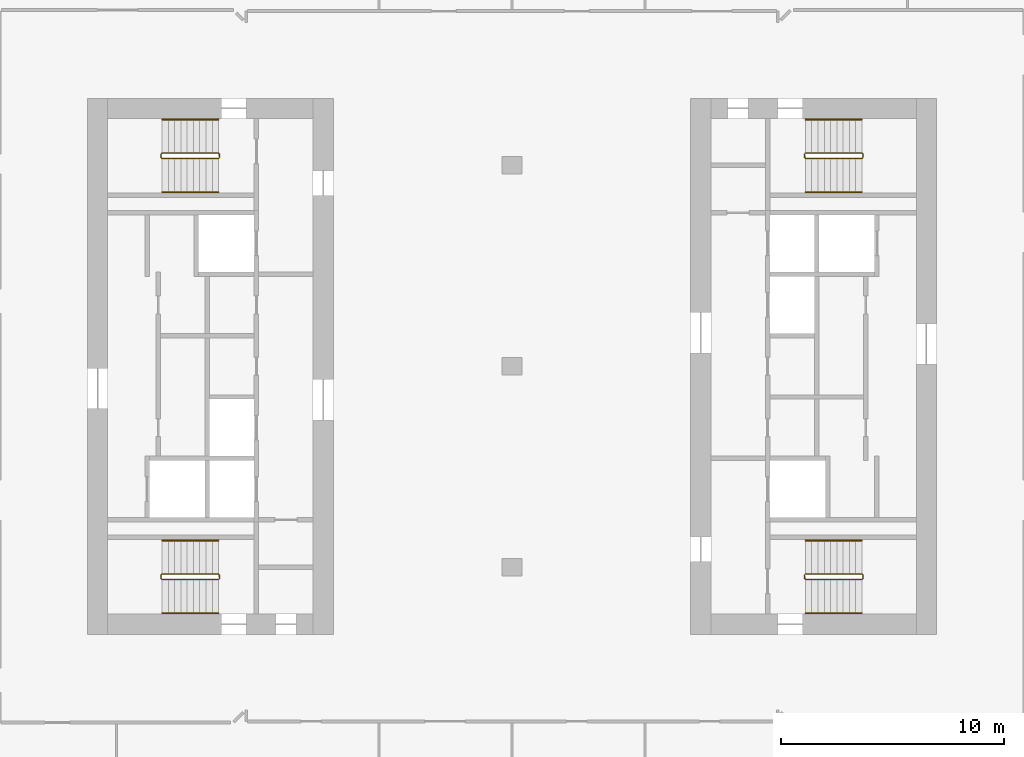
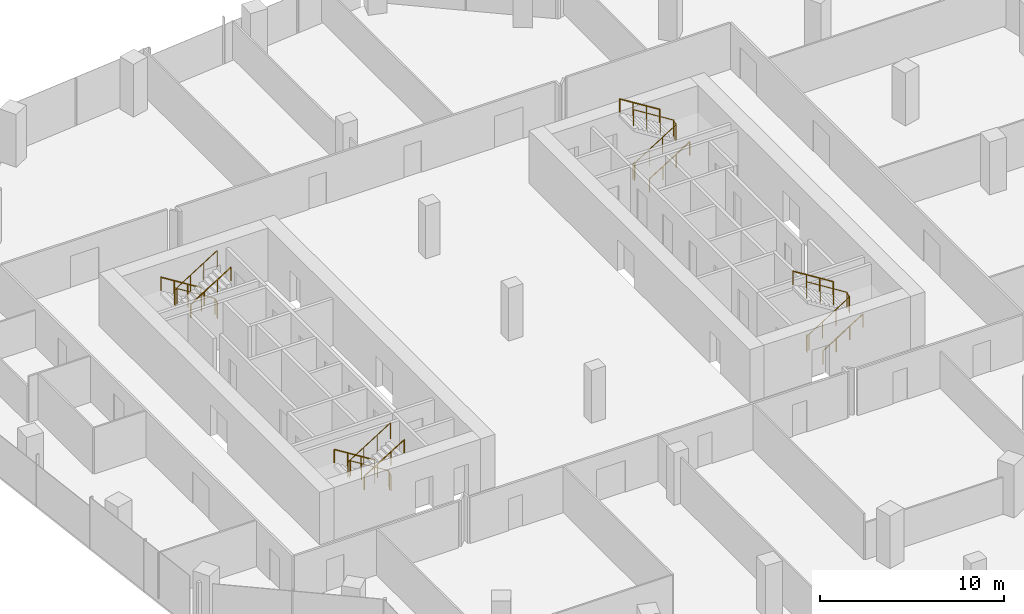
# One storey, part 22 of 23: 12 railings.
"""IFC4 building model written with IfcOpenShell, lengths in metres."""

from ifc_helpers import new_model, si_unit, direction, frame, origin, origin_2d, place, context, subcontext, project, spatial, circle, extrude, material, type_object, element, save


model = new_model("IFC4")

# Units and contexts
model_context = context("Model", 3, precision=1e-05, world=origin(), true_north=direction((0.0, 1.0)))
body_context = subcontext(model_context, "Body", "Model", "MODEL_VIEW")
ifc_project = project(units=[si_unit("LENGTHUNIT", "METRE"), si_unit("AREAUNIT", "SQUARE_METRE"), si_unit("VOLUMEUNIT", "CUBIC_METRE"), si_unit("PLANEANGLEUNIT", "RADIAN"), si_unit("MASSUNIT", "GRAM", prefix="KILO")], contexts=[model_context])

# Site, building, storey
site_placement = place(None, origin())
site = spatial("IfcSite", under=ifc_project, at=site_placement, CompositionType="ELEMENT")
building_placement = place(site_placement, origin())
building = spatial("IfcBuilding", under=site, at=building_placement, Name="Orlundy Tower", CompositionType="ELEMENT")
storey_placement = place(building_placement, frame((0.0, 0.0, 224.5)))
storey = spatial("IfcBuildingStorey", under=building, at=storey_placement, Name="L59", CompositionType="ELEMENT", Elevation=224.5)

# Railings
ifc_material_1 = material(Name="Steel balustrade", Category="steel")
railing_type_1 = type_object("IfcRailingType", Name="Stair Guard 1100", PredefinedType="GUARDRAIL", material=ifc_material_1)
railing_1_placement = place(storey_placement, frame((-13.090087890625, 9.5, 0.0)))
element("IfcRailing", 1, at=railing_1_placement, inside=storey, type_object=railing_type_1, Name="L59 ST-W1 stair guard 1", PredefinedType="GUARDRAIL", context=body_context, shape_type="SweptSolid", body=[
    extrude(circle(Radius=0.02392578125, at=origin_2d()), frame((0.0, 0.0, 1.076171875), z_axis=(0.0, -1.0, 0.0), x_axis=(1.0, 0.0, 0.0)), (0.0, 0.0, 1.0), 0.14990234375),
    extrude(circle(Radius=0.02392578125, at=origin_2d()), frame((0.0, -0.14990234375, 1.076171875), z_axis=(-0.18420542264, 0.739530593833, 0.647427882513), x_axis=(-0.970351222016, -0.241699205484, 0.0)), (0.0, 0.0, 1.0), 0.270263671875),
    extrude(circle(Radius=0.02392578125, at=origin_2d()), frame((-0.0498046875, 0.050048828125, 1.2509765625), z_axis=(-0.848007534815, 0.0, 0.529984170421), x_axis=(0.0, -1.0, 0.0)), (0.0, 0.0, 1.0), 2.9716796875),
    extrude(circle(Radius=0.02392578125, at=origin_2d()), frame((-2.56982421875, 0.050048828125, 2.826171875), z_axis=(-0.707106781187, -0.707106781187, 0.0), x_axis=(0.707106781187, -0.707106781187, 0.0)), (0.0, 0.0, 1.0), 0.07080078125),
    extrude(circle(Radius=0.02392578125, at=origin_2d()), frame((-2.619873046875, 0.0, 2.826171875), z_axis=(0.0, -1.0, 0.0), x_axis=(1.0, 0.0, 0.0)), (0.0, 0.0, 1.0), 0.14990234375),
    extrude(circle(Radius=0.02392578125, at=origin_2d()), frame((-2.619873046875, -0.14990234375, 2.826171875), z_axis=(0.265065253269, -0.265065253269, 0.927081885822), x_axis=(0.707106781187, 0.707106781187, 0.0)), (0.0, 0.0, 1.0), 0.188720703125),
    extrude(circle(Radius=0.02392578125, at=origin_2d()), frame((-2.56982421875, -0.199951171875, 3.0009765625), z_axis=(0.848007534815, 0.0, 0.529984170421), x_axis=(0.0, 1.0, 0.0)), (0.0, 0.0, 1.0), 2.9716796875),
    extrude(circle(Radius=0.02099609375, at=origin_2d()), origin(), (0.0, 0.0, 1.0), 1.052001953125),
    extrude(circle(Radius=0.02099609375, at=origin_2d()), frame((0.0, -0.14990234375, 0.0)), (0.0, 0.0, 1.0), 1.052001953125),
    extrude(circle(Radius=0.02099609375, at=origin_2d()), frame((-0.0498046875, 0.050048828125, 0.175048828125)), (0.0, 0.0, 1.0), 1.052001953125),
    extrude(circle(Radius=0.02099609375, at=origin_2d()), frame((-0.889892578125, 0.050048828125, 0.699951171875)), (0.0, 0.0, 1.0), 1.052001953125),
    extrude(circle(Radius=0.02099609375, at=origin_2d()), frame((-1.729736328125, 0.050048828125, 1.22509765625)), (0.0, 0.0, 1.0), 1.052001953125),
    extrude(circle(Radius=0.02099609375, at=origin_2d()), frame((-2.56982421875, 0.050048828125, 1.75)), (0.0, 0.0, 1.0), 1.052001953125),
    extrude(circle(Radius=0.02099609375, at=origin_2d()), frame((-2.619873046875, 0.0, 1.75)), (0.0, 0.0, 1.0), 1.052001953125),
    extrude(circle(Radius=0.02099609375, at=origin_2d()), frame((-2.619873046875, -0.14990234375, 1.75)), (0.0, 0.0, 1.0), 1.052001953125),
    extrude(circle(Radius=0.02099609375, at=origin_2d()), frame((-2.56982421875, -0.199951171875, 1.925048828125)), (0.0, 0.0, 1.0), 1.052001953125),
    extrude(circle(Radius=0.02099609375, at=origin_2d()), frame((-1.729736328125, -0.199951171875, 2.449951171875)), (0.0, 0.0, 1.0), 1.052001953125),
    extrude(circle(Radius=0.02099609375, at=origin_2d()), frame((-0.889892578125, -0.199951171875, 2.97509765625)), (0.0, 0.0, 1.0), 1.052001953125),
    extrude(circle(Radius=0.02099609375, at=origin_2d()), frame((-0.0498046875, -0.199951171875, 3.5)), (0.0, 0.0, 1.0), 1.052001953125),
])
railing_2_placement = place(storey_placement, frame((-13.090087890625, -9.35009765625, 0.0)))
element("IfcRailing", 2, at=railing_2_placement, inside=storey, type_object=railing_type_1, Name="L59 ST-W2 stair guard 1", PredefinedType="GUARDRAIL", context=body_context, shape_type="SweptSolid", body=[
    extrude(circle(Radius=0.02392578125, at=origin_2d()), frame((0.0, 0.0, 1.076171875), z_axis=(0.0, -1.0, 0.0), x_axis=(1.0, 0.0, 0.0)), (0.0, 0.0, 1.0), 0.14990234375),
    extrude(circle(Radius=0.02392578125, at=origin_2d()), frame((0.0, -0.14990234375, 1.076171875), z_axis=(-0.18420542264, 0.739530593833, 0.647427882513), x_axis=(-0.970351222016, -0.241699205484, 0.0)), (0.0, 0.0, 1.0), 0.270263671875),
    extrude(circle(Radius=0.02392578125, at=origin_2d()), frame((-0.0498046875, 0.050048828125, 1.2509765625), z_axis=(-0.848007534815, 0.0, 0.529984170421), x_axis=(0.0, -1.0, 0.0)), (0.0, 0.0, 1.0), 2.9716796875),
    extrude(circle(Radius=0.02392578125, at=origin_2d()), frame((-2.56982421875, 0.050048828125, 2.826171875), z_axis=(-0.707106781187, -0.707106781187, 0.0), x_axis=(0.707106781187, -0.707106781187, 0.0)), (0.0, 0.0, 1.0), 0.07080078125),
    extrude(circle(Radius=0.02392578125, at=origin_2d()), frame((-2.619873046875, 0.0, 2.826171875), z_axis=(0.0, -1.0, 0.0), x_axis=(1.0, 0.0, 0.0)), (0.0, 0.0, 1.0), 0.14990234375),
    extrude(circle(Radius=0.02392578125, at=origin_2d()), frame((-2.619873046875, -0.14990234375, 2.826171875), z_axis=(0.265065253269, -0.265065253269, 0.927081885822), x_axis=(0.707106781187, 0.707106781187, 0.0)), (0.0, 0.0, 1.0), 0.188720703125),
    extrude(circle(Radius=0.02392578125, at=origin_2d()), frame((-2.56982421875, -0.199951171875, 3.0009765625), z_axis=(0.848007534815, 0.0, 0.529984170421), x_axis=(0.0, 1.0, 0.0)), (0.0, 0.0, 1.0), 2.9716796875),
    extrude(circle(Radius=0.02099609375, at=origin_2d()), origin(), (0.0, 0.0, 1.0), 1.052001953125),
    extrude(circle(Radius=0.02099609375, at=origin_2d()), frame((0.0, -0.14990234375, 0.0)), (0.0, 0.0, 1.0), 1.052001953125),
    extrude(circle(Radius=0.02099609375, at=origin_2d()), frame((-0.0498046875, 0.050048828125, 0.175048828125)), (0.0, 0.0, 1.0), 1.052001953125),
    extrude(circle(Radius=0.02099609375, at=origin_2d()), frame((-0.889892578125, 0.050048828125, 0.699951171875)), (0.0, 0.0, 1.0), 1.052001953125),
    extrude(circle(Radius=0.02099609375, at=origin_2d()), frame((-1.729736328125, 0.050048828125, 1.22509765625)), (0.0, 0.0, 1.0), 1.052001953125),
    extrude(circle(Radius=0.02099609375, at=origin_2d()), frame((-2.56982421875, 0.050048828125, 1.75)), (0.0, 0.0, 1.0), 1.052001953125),
    extrude(circle(Radius=0.02099609375, at=origin_2d()), frame((-2.619873046875, 0.0, 1.75)), (0.0, 0.0, 1.0), 1.052001953125),
    extrude(circle(Radius=0.02099609375, at=origin_2d()), frame((-2.619873046875, -0.14990234375, 1.75)), (0.0, 0.0, 1.0), 1.052001953125),
    extrude(circle(Radius=0.02099609375, at=origin_2d()), frame((-2.56982421875, -0.199951171875, 1.925048828125)), (0.0, 0.0, 1.0), 1.052001953125),
    extrude(circle(Radius=0.02099609375, at=origin_2d()), frame((-1.729736328125, -0.199951171875, 2.449951171875)), (0.0, 0.0, 1.0), 1.052001953125),
    extrude(circle(Radius=0.02099609375, at=origin_2d()), frame((-0.889892578125, -0.199951171875, 2.97509765625)), (0.0, 0.0, 1.0), 1.052001953125),
    extrude(circle(Radius=0.02099609375, at=origin_2d()), frame((-0.0498046875, -0.199951171875, 3.5)), (0.0, 0.0, 1.0), 1.052001953125),
])
railing_3_placement = place(storey_placement, frame((13.090087890625, -9.5, 0.0)))
element("IfcRailing", 3, at=railing_3_placement, inside=storey, type_object=railing_type_1, Name="L59 ST-E1 stair guard 1", PredefinedType="GUARDRAIL", context=body_context, shape_type="SweptSolid", body=[
    extrude(circle(Radius=0.02392578125, at=origin_2d()), frame((0.0, 0.0, 1.076171875), z_axis=(0.0, 1.0, 0.0), x_axis=(-1.0, 0.0, 0.0)), (0.0, 0.0, 1.0), 0.14990234375),
    extrude(circle(Radius=0.02392578125, at=origin_2d()), frame((0.0, 0.14990234375, 1.076171875), z_axis=(0.18420542264, -0.739530593833, 0.647427882513), x_axis=(0.970351222016, 0.241699205484, 0.0)), (0.0, 0.0, 1.0), 0.270263671875),
    extrude(circle(Radius=0.02392578125, at=origin_2d()), frame((0.0498046875, -0.050048828125, 1.2509765625), z_axis=(0.848007534815, 0.0, 0.529984170421), x_axis=(0.0, 1.0, 0.0)), (0.0, 0.0, 1.0), 2.9716796875),
    extrude(circle(Radius=0.02392578125, at=origin_2d()), frame((2.56982421875, -0.050048828125, 2.826171875), z_axis=(0.707106781187, 0.707106781187, 0.0), x_axis=(-0.707106781187, 0.707106781187, 0.0)), (0.0, 0.0, 1.0), 0.07080078125),
    extrude(circle(Radius=0.02392578125, at=origin_2d()), frame((2.619873046875, 0.0, 2.826171875), z_axis=(0.0, 1.0, 0.0), x_axis=(-1.0, 0.0, 0.0)), (0.0, 0.0, 1.0), 0.14990234375),
    extrude(circle(Radius=0.02392578125, at=origin_2d()), frame((2.619873046875, 0.14990234375, 2.826171875), z_axis=(-0.265065253269, 0.265065253269, 0.927081885822), x_axis=(-0.707106781187, -0.707106781187, 0.0)), (0.0, 0.0, 1.0), 0.188720703125),
    extrude(circle(Radius=0.02392578125, at=origin_2d()), frame((2.56982421875, 0.199951171875, 3.0009765625), z_axis=(-0.848007534815, 0.0, 0.529984170421), x_axis=(0.0, -1.0, 0.0)), (0.0, 0.0, 1.0), 2.9716796875),
    extrude(circle(Radius=0.02099609375, at=origin_2d()), origin(), (0.0, 0.0, 1.0), 1.052001953125),
    extrude(circle(Radius=0.02099609375, at=origin_2d()), frame((0.0, 0.14990234375, 0.0)), (0.0, 0.0, 1.0), 1.052001953125),
    extrude(circle(Radius=0.02099609375, at=origin_2d()), frame((0.0498046875, -0.050048828125, 0.175048828125)), (0.0, 0.0, 1.0), 1.052001953125),
    extrude(circle(Radius=0.02099609375, at=origin_2d()), frame((0.889892578125, -0.050048828125, 0.699951171875)), (0.0, 0.0, 1.0), 1.052001953125),
    extrude(circle(Radius=0.02099609375, at=origin_2d()), frame((1.729736328125, -0.050048828125, 1.22509765625)), (0.0, 0.0, 1.0), 1.052001953125),
    extrude(circle(Radius=0.02099609375, at=origin_2d()), frame((2.56982421875, -0.050048828125, 1.75)), (0.0, 0.0, 1.0), 1.052001953125),
    extrude(circle(Radius=0.02099609375, at=origin_2d()), frame((2.619873046875, 0.0, 1.75)), (0.0, 0.0, 1.0), 1.052001953125),
    extrude(circle(Radius=0.02099609375, at=origin_2d()), frame((2.619873046875, 0.14990234375, 1.75)), (0.0, 0.0, 1.0), 1.052001953125),
    extrude(circle(Radius=0.02099609375, at=origin_2d()), frame((2.56982421875, 0.199951171875, 1.925048828125)), (0.0, 0.0, 1.0), 1.052001953125),
    extrude(circle(Radius=0.02099609375, at=origin_2d()), frame((1.729736328125, 0.199951171875, 2.449951171875)), (0.0, 0.0, 1.0), 1.052001953125),
    extrude(circle(Radius=0.02099609375, at=origin_2d()), frame((0.889892578125, 0.199951171875, 2.97509765625)), (0.0, 0.0, 1.0), 1.052001953125),
    extrude(circle(Radius=0.02099609375, at=origin_2d()), frame((0.0498046875, 0.199951171875, 3.5)), (0.0, 0.0, 1.0), 1.052001953125),
])
railing_4_placement = place(storey_placement, frame((13.090087890625, 9.35009765625, 0.0)))
element("IfcRailing", 4, at=railing_4_placement, inside=storey, type_object=railing_type_1, Name="L59 ST-E2 stair guard 1", PredefinedType="GUARDRAIL", context=body_context, shape_type="SweptSolid", body=[
    extrude(circle(Radius=0.02392578125, at=origin_2d()), frame((0.0, 0.0, 1.076171875), z_axis=(0.0, 1.0, 0.0), x_axis=(-1.0, 0.0, 0.0)), (0.0, 0.0, 1.0), 0.14990234375),
    extrude(circle(Radius=0.02392578125, at=origin_2d()), frame((0.0, 0.14990234375, 1.076171875), z_axis=(0.18420542264, -0.739530593833, 0.647427882513), x_axis=(0.970351222016, 0.241699205484, 0.0)), (0.0, 0.0, 1.0), 0.270263671875),
    extrude(circle(Radius=0.02392578125, at=origin_2d()), frame((0.0498046875, -0.050048828125, 1.2509765625), z_axis=(0.848007534815, 0.0, 0.529984170421), x_axis=(0.0, 1.0, 0.0)), (0.0, 0.0, 1.0), 2.9716796875),
    extrude(circle(Radius=0.02392578125, at=origin_2d()), frame((2.56982421875, -0.050048828125, 2.826171875), z_axis=(0.707106781187, 0.707106781187, 0.0), x_axis=(-0.707106781187, 0.707106781187, 0.0)), (0.0, 0.0, 1.0), 0.07080078125),
    extrude(circle(Radius=0.02392578125, at=origin_2d()), frame((2.619873046875, 0.0, 2.826171875), z_axis=(0.0, 1.0, 0.0), x_axis=(-1.0, 0.0, 0.0)), (0.0, 0.0, 1.0), 0.14990234375),
    extrude(circle(Radius=0.02392578125, at=origin_2d()), frame((2.619873046875, 0.14990234375, 2.826171875), z_axis=(-0.265065253269, 0.265065253269, 0.927081885822), x_axis=(-0.707106781187, -0.707106781187, 0.0)), (0.0, 0.0, 1.0), 0.188720703125),
    extrude(circle(Radius=0.02392578125, at=origin_2d()), frame((2.56982421875, 0.199951171875, 3.0009765625), z_axis=(-0.848007534815, 0.0, 0.529984170421), x_axis=(0.0, -1.0, 0.0)), (0.0, 0.0, 1.0), 2.9716796875),
    extrude(circle(Radius=0.02099609375, at=origin_2d()), origin(), (0.0, 0.0, 1.0), 1.052001953125),
    extrude(circle(Radius=0.02099609375, at=origin_2d()), frame((0.0, 0.14990234375, 0.0)), (0.0, 0.0, 1.0), 1.052001953125),
    extrude(circle(Radius=0.02099609375, at=origin_2d()), frame((0.0498046875, -0.050048828125, 0.175048828125)), (0.0, 0.0, 1.0), 1.052001953125),
    extrude(circle(Radius=0.02099609375, at=origin_2d()), frame((0.889892578125, -0.050048828125, 0.699951171875)), (0.0, 0.0, 1.0), 1.052001953125),
    extrude(circle(Radius=0.02099609375, at=origin_2d()), frame((1.729736328125, -0.050048828125, 1.22509765625)), (0.0, 0.0, 1.0), 1.052001953125),
    extrude(circle(Radius=0.02099609375, at=origin_2d()), frame((2.56982421875, -0.050048828125, 1.75)), (0.0, 0.0, 1.0), 1.052001953125),
    extrude(circle(Radius=0.02099609375, at=origin_2d()), frame((2.619873046875, 0.0, 1.75)), (0.0, 0.0, 1.0), 1.052001953125),
    extrude(circle(Radius=0.02099609375, at=origin_2d()), frame((2.619873046875, 0.14990234375, 1.75)), (0.0, 0.0, 1.0), 1.052001953125),
    extrude(circle(Radius=0.02099609375, at=origin_2d()), frame((2.56982421875, 0.199951171875, 1.925048828125)), (0.0, 0.0, 1.0), 1.052001953125),
    extrude(circle(Radius=0.02099609375, at=origin_2d()), frame((1.729736328125, 0.199951171875, 2.449951171875)), (0.0, 0.0, 1.0), 1.052001953125),
    extrude(circle(Radius=0.02099609375, at=origin_2d()), frame((0.889892578125, 0.199951171875, 2.97509765625)), (0.0, 0.0, 1.0), 1.052001953125),
    extrude(circle(Radius=0.02099609375, at=origin_2d()), frame((0.0498046875, 0.199951171875, 3.5)), (0.0, 0.0, 1.0), 1.052001953125),
])
ifc_material_2 = material(Name="Steel handrail", Category="steel")
railing_type_2 = type_object("IfcRailingType", Name="Stair Handrail 900", PredefinedType="HANDRAIL", material=ifc_material_2)
railing_5_placement = place(storey_placement, frame((-13.139892578125, 11.050048828125, 0.175048828125)))
element("IfcRailing", 5, at=railing_5_placement, inside=storey, type_object=railing_type_2, Name="L59 ST-W1 stair handrail 1", PredefinedType="HANDRAIL", context=body_context, shape_type="SweptSolid", body=[
    extrude(circle(Radius=0.02392578125, at=origin_2d()), frame((0.0, 0.0, 0.8759765625), z_axis=(-0.848007534815, 0.0, 0.529984170421), x_axis=(0.0, -1.0, 0.0)), (0.0, 0.0, 1.0), 2.9716796875),
    extrude(circle(Radius=0.02099609375, at=origin_2d()), origin(), (0.0, 0.0, 1.0), 0.851806640625),
    extrude(circle(Radius=0.02099609375, at=origin_2d()), frame((-0.840087890625, 0.0, 0.52490234375)), (0.0, 0.0, 1.0), 0.851806640625),
    extrude(circle(Radius=0.02099609375, at=origin_2d()), frame((-1.679931640625, 0.0, 1.050048828125)), (0.0, 0.0, 1.0), 0.851806640625),
    extrude(circle(Radius=0.02099609375, at=origin_2d()), frame((-2.52001953125, 0.0, 1.574951171875)), (0.0, 0.0, 1.0), 0.851806640625),
])
railing_6_placement = place(storey_placement, frame((-15.659912109375, 7.800048828125, 1.925048828125)))
element("IfcRailing", 6, at=railing_6_placement, inside=storey, type_object=railing_type_2, Name="L59 ST-W1 stair handrail 2", PredefinedType="HANDRAIL", context=body_context, shape_type="SweptSolid", body=[
    extrude(circle(Radius=0.02392578125, at=origin_2d()), frame((0.0, 0.0, 0.8759765625), z_axis=(0.848007534815, 0.0, 0.529984170421), x_axis=(0.0, 1.0, 0.0)), (0.0, 0.0, 1.0), 2.9716796875),
    extrude(circle(Radius=0.02099609375, at=origin_2d()), origin(), (0.0, 0.0, 1.0), 0.851806640625),
    extrude(circle(Radius=0.02099609375, at=origin_2d()), frame((0.840087890625, 0.0, 0.52490234375)), (0.0, 0.0, 1.0), 0.851806640625),
    extrude(circle(Radius=0.02099609375, at=origin_2d()), frame((1.679931640625, 0.0, 1.050048828125)), (0.0, 0.0, 1.0), 0.851806640625),
    extrude(circle(Radius=0.02099609375, at=origin_2d()), frame((2.52001953125, 0.0, 1.574951171875)), (0.0, 0.0, 1.0), 0.851806640625),
])
railing_7_placement = place(storey_placement, frame((-13.139892578125, -7.800048828125, 0.175048828125)))
element("IfcRailing", 7, at=railing_7_placement, inside=storey, type_object=railing_type_2, Name="L59 ST-W2 stair handrail 1", PredefinedType="HANDRAIL", context=body_context, shape_type="SweptSolid", body=[
    extrude(circle(Radius=0.02392578125, at=origin_2d()), frame((0.0, 0.0, 0.8759765625), z_axis=(-0.848007534815, 0.0, 0.529984170421), x_axis=(0.0, -1.0, 0.0)), (0.0, 0.0, 1.0), 2.9716796875),
    extrude(circle(Radius=0.02099609375, at=origin_2d()), origin(), (0.0, 0.0, 1.0), 0.851806640625),
    extrude(circle(Radius=0.02099609375, at=origin_2d()), frame((-0.840087890625, 0.0, 0.52490234375)), (0.0, 0.0, 1.0), 0.851806640625),
    extrude(circle(Radius=0.02099609375, at=origin_2d()), frame((-1.679931640625, 0.0, 1.050048828125)), (0.0, 0.0, 1.0), 0.851806640625),
    extrude(circle(Radius=0.02099609375, at=origin_2d()), frame((-2.52001953125, 0.0, 1.574951171875)), (0.0, 0.0, 1.0), 0.851806640625),
])
for number, where, name in (
    (8, (-15.659912109375, -11.050048828125, 1.925048828125), "L59 ST-W2 stair handrail 2"),
    (9, (13.139892578125, -11.050048828125, 0.175048828125), "L59 ST-E1 stair handrail 1"),
):
    element("IfcRailing", number, at=place(storey_placement, frame(where)), inside=storey, type_object=railing_type_2, Name=name, PredefinedType="HANDRAIL", context=body_context, shape_type="SweptSolid", body=[
        extrude(circle(Radius=0.02392578125, at=origin_2d()), frame((0.0, 0.0, 0.8759765625), z_axis=(0.848007534815, 0.0, 0.529984170421), x_axis=(0.0, 1.0, 0.0)), (0.0, 0.0, 1.0), 2.9716796875),
        extrude(circle(Radius=0.02099609375, at=origin_2d()), origin(), (0.0, 0.0, 1.0), 0.851806640625),
        extrude(circle(Radius=0.02099609375, at=origin_2d()), frame((0.840087890625, 0.0, 0.52490234375)), (0.0, 0.0, 1.0), 0.851806640625),
        extrude(circle(Radius=0.02099609375, at=origin_2d()), frame((1.679931640625, 0.0, 1.050048828125)), (0.0, 0.0, 1.0), 0.851806640625),
        extrude(circle(Radius=0.02099609375, at=origin_2d()), frame((2.52001953125, 0.0, 1.574951171875)), (0.0, 0.0, 1.0), 0.851806640625),
    ])
railing_8_placement = place(storey_placement, frame((15.659912109375, -7.800048828125, 1.925048828125)))
element("IfcRailing", 10, at=railing_8_placement, inside=storey, type_object=railing_type_2, Name="L59 ST-E1 stair handrail 2", PredefinedType="HANDRAIL", context=body_context, shape_type="SweptSolid", body=[
    extrude(circle(Radius=0.02392578125, at=origin_2d()), frame((0.0, 0.0, 0.8759765625), z_axis=(-0.848007534815, 0.0, 0.529984170421), x_axis=(0.0, -1.0, 0.0)), (0.0, 0.0, 1.0), 2.9716796875),
    extrude(circle(Radius=0.02099609375, at=origin_2d()), origin(), (0.0, 0.0, 1.0), 0.851806640625),
    extrude(circle(Radius=0.02099609375, at=origin_2d()), frame((-0.840087890625, 0.0, 0.52490234375)), (0.0, 0.0, 1.0), 0.851806640625),
    extrude(circle(Radius=0.02099609375, at=origin_2d()), frame((-1.679931640625, 0.0, 1.050048828125)), (0.0, 0.0, 1.0), 0.851806640625),
    extrude(circle(Radius=0.02099609375, at=origin_2d()), frame((-2.52001953125, 0.0, 1.574951171875)), (0.0, 0.0, 1.0), 0.851806640625),
])
railing_9_placement = place(storey_placement, frame((13.139892578125, 7.800048828125, 0.175048828125)))
element("IfcRailing", 11, at=railing_9_placement, inside=storey, type_object=railing_type_2, Name="L59 ST-E2 stair handrail 1", PredefinedType="HANDRAIL", context=body_context, shape_type="SweptSolid", body=[
    extrude(circle(Radius=0.02392578125, at=origin_2d()), frame((0.0, 0.0, 0.8759765625), z_axis=(0.848007534815, 0.0, 0.529984170421), x_axis=(0.0, 1.0, 0.0)), (0.0, 0.0, 1.0), 2.9716796875),
    extrude(circle(Radius=0.02099609375, at=origin_2d()), origin(), (0.0, 0.0, 1.0), 0.851806640625),
    extrude(circle(Radius=0.02099609375, at=origin_2d()), frame((0.840087890625, 0.0, 0.52490234375)), (0.0, 0.0, 1.0), 0.851806640625),
    extrude(circle(Radius=0.02099609375, at=origin_2d()), frame((1.679931640625, 0.0, 1.050048828125)), (0.0, 0.0, 1.0), 0.851806640625),
    extrude(circle(Radius=0.02099609375, at=origin_2d()), frame((2.52001953125, 0.0, 1.574951171875)), (0.0, 0.0, 1.0), 0.851806640625),
])
railing_10_placement = place(storey_placement, frame((15.659912109375, 11.050048828125, 1.925048828125)))
element("IfcRailing", 12, at=railing_10_placement, inside=storey, type_object=railing_type_2, Name="L59 ST-E2 stair handrail 2", PredefinedType="HANDRAIL", context=body_context, shape_type="SweptSolid", body=[
    extrude(circle(Radius=0.02392578125, at=origin_2d()), frame((0.0, 0.0, 0.8759765625), z_axis=(-0.848007534815, 0.0, 0.529984170421), x_axis=(0.0, -1.0, 0.0)), (0.0, 0.0, 1.0), 2.9716796875),
    extrude(circle(Radius=0.02099609375, at=origin_2d()), origin(), (0.0, 0.0, 1.0), 0.851806640625),
    extrude(circle(Radius=0.02099609375, at=origin_2d()), frame((-0.840087890625, 0.0, 0.52490234375)), (0.0, 0.0, 1.0), 0.851806640625),
    extrude(circle(Radius=0.02099609375, at=origin_2d()), frame((-1.679931640625, 0.0, 1.050048828125)), (0.0, 0.0, 1.0), 0.851806640625),
    extrude(circle(Radius=0.02099609375, at=origin_2d()), frame((-2.52001953125, 0.0, 1.574951171875)), (0.0, 0.0, 1.0), 0.851806640625),
])

save(model, "model.ifc")
